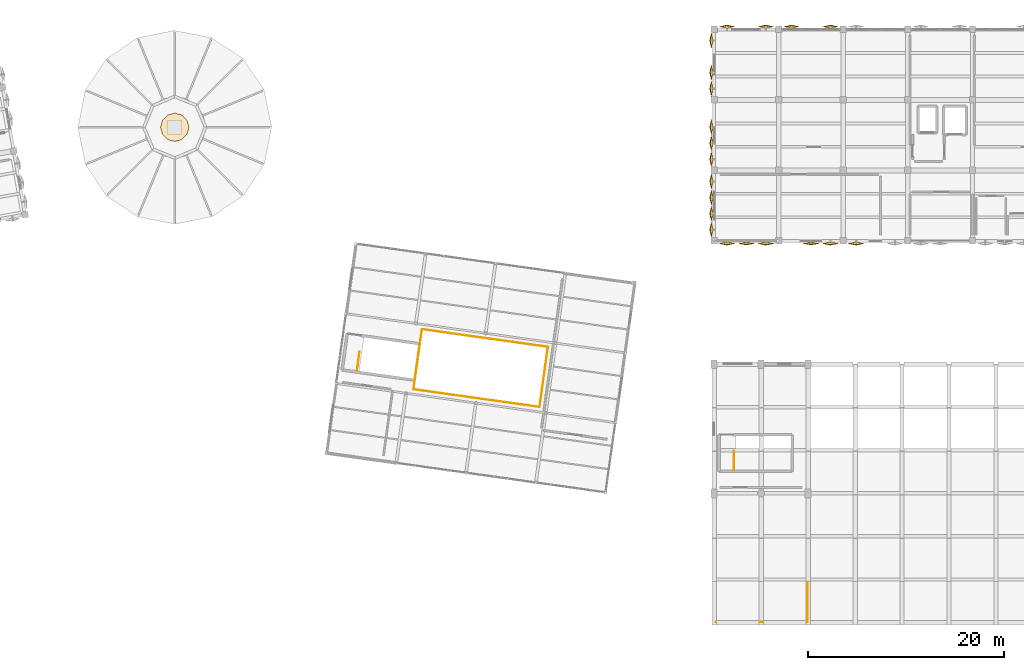
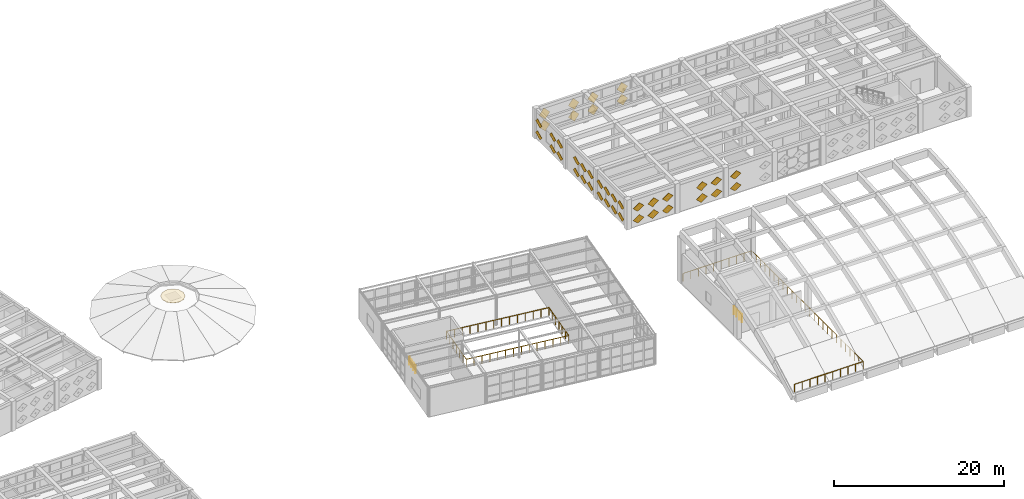
# One storey, part 66 of 67: 41 coverings, 5 railings.
"""IFC4 building model written with IfcOpenShell, lengths in metres."""

import ifcopenshell
import ifcopenshell.guid

model = None  # the IFC model being written
_history = None  # IfcOwnerHistory: only IFC2X3 demands one
_inside = {}  # id of a spatial element -> (the spatial element, [elements in it])
_under = {}  # id of a project, library or spatial element -> (it, [spatial elements below it])
_declared = {}  # id of a project -> (the project, [libraries it declares])
_typed = {}  # id of a type object -> (the type object, [elements of that type])
_made_of = {}  # id of a material, layer set ... -> (it, [elements and type objects made of it])


def new_model(schema):
    """Start an empty IFC model of exactly this schema.

    Asked for "IFC4X3", IfcOpenShell would pick the latest addendum, in which some entities
    have other attributes; the version numbers below select the first issue.
    IFC2X3 requires an IfcOwnerHistory on every rooted entity: one is made here for all.
    """
    global model, _history
    if schema == "IFC4X3":
        model = ifcopenshell.file(schema_version=(4, 3, 0, 0))
    else:
        model = ifcopenshell.file(schema=schema)
    _inside.clear()
    _under.clear()
    _declared.clear()
    _typed.clear()
    _made_of.clear()
    _history = None
    if model.schema == "IFC2X3":
        org = make("IfcOrganization", Name="unknown")
        user = make(
            "IfcPersonAndOrganization",
            ThePerson=make("IfcPerson", FamilyName="unknown"),
            TheOrganization=org,
        )
        app = make(
            "IfcApplication",
            ApplicationDeveloper=org,
            Version="unknown",
            ApplicationFullName="unknown",
            ApplicationIdentifier="unknown",
        )
        _history = make(
            "IfcOwnerHistory",
            OwningUser=user,
            OwningApplication=app,
            ChangeAction="ADDED",
            CreationDate=0,
        )
    return model


def make(cls, **values):
    """One entity of the class cls with the attributes given. An attribute that is None is left unset."""
    return model.create_entity(
        cls, **{name: value for name, value in values.items() if value is not None}
    )


def rooted(cls, **values):
    """An entity with a GlobalId (a new one), such as an element, a storey or a relation."""
    return make(cls, GlobalId=ifcopenshell.guid.new(), OwnerHistory=_history, **values)


def si_unit(unit_type, name, prefix=None):
    """IfcSIUnit, for example si_unit("LENGTHUNIT", "METRE", prefix="MILLI")."""
    return make("IfcSIUnit", UnitType=unit_type, Prefix=prefix, Name=name)


def assignment(units):
    """IfcUnitAssignment: the units of a project."""
    return None if units is None else make("IfcUnitAssignment", Units=units)


def point(xyz):
    """IfcCartesianPoint."""
    return None if xyz is None else make("IfcCartesianPoint", Coordinates=xyz)


def direction(xyz):
    """IfcDirection."""
    return None if xyz is None else make("IfcDirection", DirectionRatios=xyz)


def frame(location, z_axis=None, x_axis=None):
    """IfcAxis2Placement3D, a coordinate frame: its origin and axes. An axis left out is left unset."""
    return make(
        "IfcAxis2Placement3D",
        Location=point(location),
        Axis=direction(z_axis),
        RefDirection=direction(x_axis),
    )


def frame_2d(location, x_axis=None):
    """IfcAxis2Placement2D, a coordinate frame in the plane: its origin and x axis."""
    return make(
        "IfcAxis2Placement2D", Location=point(location), RefDirection=direction(x_axis)
    )


def origin():
    """The frame at (0, 0, 0) with its axes left unset."""
    return frame((0.0, 0.0, 0.0))


def origin_2d():
    """The frame at (0, 0) in the plane with its x axis left unset."""
    return frame_2d((0.0, 0.0))


def place(relative_to, where):
    """IfcLocalPlacement: puts the frame where relative to a parent placement (None: the world)."""
    return make(
        "IfcLocalPlacement", PlacementRelTo=relative_to, RelativePlacement=where
    )


def context(
    kind, dimensions, precision=None, world=None, true_north=None, identifier=None
):
    """IfcGeometricRepresentationContext, for example the 3D "Model" context."""
    return make(
        "IfcGeometricRepresentationContext",
        ContextIdentifier=identifier,
        ContextType=kind,
        CoordinateSpaceDimension=dimensions,
        Precision=precision,
        WorldCoordinateSystem=world,
        TrueNorth=true_north,
    )


def subcontext(parent, identifier, kind, view, scale=None):
    """IfcGeometricRepresentationSubContext, for example "Body" below "Model"."""
    return make(
        "IfcGeometricRepresentationSubContext",
        ContextIdentifier=identifier,
        ContextType=kind,
        ParentContext=parent,
        TargetScale=scale,
        TargetView=view,
    )


def project(units=None, contexts=None):
    """IfcProject with its units and contexts."""
    return rooted(
        "IfcProject",
        Name="project",
        RepresentationContexts=contexts,
        UnitsInContext=assignment(units),
    )


def spatial(cls, under=None, at=None, **own):
    """A site, building, storey or space (cls), placed at a placement, below another one or the project."""
    s = rooted(cls, ObjectPlacement=at, **own)
    if under is not None:
        _under.setdefault(under.id(), (under, []))[1].append(s)
    return s


def polyline(points):
    """IfcPolyline through the points."""
    return make("IfcPolyline", Points=[point(p) for p in points])


def profile(cls, at=None, kind="AREA", **sizes):
    """A parametric profile (cls). Its sizes go by their IFC names, for example OverallWidth=200.0."""
    return make(cls, ProfileType=kind, Position=at, **sizes)


def circle(**sizes):
    """IfcCircleProfileDef."""
    return profile("IfcCircleProfileDef", **sizes)


def outline(outer, holes=None, kind="AREA"):
    """IfcArbitraryClosedProfileDef: a profile drawn as a closed curve; with holes, ...WithVoids."""
    if holes is None:
        return make("IfcArbitraryClosedProfileDef", ProfileType=kind, OuterCurve=outer)
    return make(
        "IfcArbitraryProfileDefWithVoids",
        ProfileType=kind,
        OuterCurve=outer,
        InnerCurves=holes,
    )


def extrude(swept, where, along, depth):
    """IfcExtrudedAreaSolid: the profile swept, set in the frame where, extruded along a direction by depth."""
    return make(
        "IfcExtrudedAreaSolid",
        SweptArea=swept,
        Position=where,
        ExtrudedDirection=direction(along),
        Depth=depth,
    )


def shape(context_of_items, identifier, shape_type, items):
    """IfcShapeRepresentation: the items that make up one representation, for example the "Body"."""
    return make(
        "IfcShapeRepresentation",
        ContextOfItems=context_of_items,
        RepresentationIdentifier=identifier,
        RepresentationType=shape_type,
        Items=items,
    )


def material(Name=None, Category=None):
    """IfcMaterial."""
    return make("IfcMaterial", Name=Name, Category=Category)


def layer(
    of_material, thickness, ventilated=None, Name=None, Category=None, Priority=None
):
    """IfcMaterialLayer: one layer of a wall or slab, of a material (None: an air gap)."""
    return make(
        "IfcMaterialLayer",
        Material=of_material,
        LayerThickness=thickness,
        IsVentilated=ventilated,
        Name=Name,
        Category=Category,
        Priority=Priority,
    )


def layer_set(layers, Name=None):
    """IfcMaterialLayerSet."""
    return make("IfcMaterialLayerSet", MaterialLayers=layers, LayerSetName=Name)


def made_of(thing, what):
    """Note that an element or type object is made of a material, layer set ...; save() writes the relation."""
    if what is not None:
        _made_of.setdefault(what.id(), (what, []))[1].append(thing)
    return thing


def type_object(cls, material=None, **own):
    """A type object (cls), such as IfcWallType, which elements share."""
    return made_of(rooted(cls, **own), material)


def element(
    cls,
    number,
    at=None,
    inside=None,
    cuts=None,
    type_object=None,
    material=None,
    context=None,
    identifier="Body",
    shape_type=None,
    held_by="IfcProductDefinitionShape",
    body=None,
    shapes=None,
    **own,
):
    """One element of the class cls, such as IfcWall. Its Tag is "e" and its number.

    at: its placement. inside: the storey or other place that contains it. cuts: it is an
    opening in that element (IfcRelVoidsElement). A single representation is given by context,
    identifier, shape_type and body (its items); several are given by shapes. held_by: the class
    of the entity that holds the representations. save() writes the other relations.
    """
    e = rooted(cls, Tag="e%d" % number, ObjectPlacement=at, **own)
    if body is not None:
        shapes = [shape(context, identifier, shape_type, body)]
    if shapes is not None:
        e.Representation = make(held_by, Representations=shapes)
    if inside is not None:
        _inside.setdefault(inside.id(), (inside, []))[1].append(e)
    if cuts is not None:
        rooted(
            "IfcRelVoidsElement", RelatingBuildingElement=cuts, RelatedOpeningElement=e
        )
    if type_object is not None:
        _typed.setdefault(type_object.id(), (type_object, []))[1].append(e)
    return made_of(e, material)


def aggregate(whole, parts):
    """IfcRelAggregates: a whole, such as a stair, and the parts it consists of."""
    return rooted("IfcRelAggregates", RelatingObject=whole, RelatedObjects=parts)


def save(model, path):
    """Write the relations noted so far, then the file.

    IfcRelAggregates (storeys below a building ...), IfcRelContainedInSpatialStructure (elements
    in a storey), IfcRelDefinesByType, IfcRelAssociatesMaterial and IfcRelDeclares: one each for
    every whole, place, type object, material and project.
    """
    for whole, parts in _under.values():
        aggregate(whole, parts)
    for where, things in _inside.values():
        rooted(
            "IfcRelContainedInSpatialStructure",
            RelatedElements=things,
            RelatingStructure=where,
        )
    for kind, things in _typed.values():
        rooted("IfcRelDefinesByType", RelatedObjects=things, RelatingType=kind)
    for what, things in _made_of.values():
        rooted("IfcRelAssociatesMaterial", RelatedObjects=things, RelatingMaterial=what)
    for by, libraries in _declared.values():
        rooted("IfcRelDeclares", RelatingContext=by, RelatedDefinitions=libraries)
    model.write(path)


model = new_model("IFC4")

# Units and contexts
model_context = context("Model", 3, precision=1e-05, world=origin(), true_north=direction((0.0, 1.0)))
body_context = subcontext(model_context, "Body", "Model", "MODEL_VIEW")
ifc_project = project(units=[si_unit("LENGTHUNIT", "METRE"), si_unit("AREAUNIT", "SQUARE_METRE"), si_unit("VOLUMEUNIT", "CUBIC_METRE"), si_unit("PLANEANGLEUNIT", "RADIAN"), si_unit("MASSUNIT", "GRAM", prefix="KILO")], contexts=[model_context])

# Site, building, storey
site_placement = place(None, origin())
site = spatial("IfcSite", under=ifc_project, at=site_placement, CompositionType="ELEMENT")
building_placement = place(site_placement, origin())
building = spatial("IfcBuilding", under=site, at=building_placement, Name="Kharisveld Research Institute", CompositionType="ELEMENT")
storey_placement = place(building_placement, frame((0.0, 0.0, 9.60009765625)))
storey = spatial("IfcBuildingStorey", under=building, at=storey_placement, Name="L02", CompositionType="ELEMENT", Elevation=9.60009765625)

# Covering
ifc_material_1 = material(Name="High-Albedo TPO Roof Membrane", Category="mineral")
ifc_layer = layer(ifc_material_1, 0.034912109375)
ifc_layer_set = layer_set([ifc_layer], Name="CV_ROOF_EPDM")
covering_type_1 = type_object("IfcCoveringType", Name="CV_ROOF_EPDM", PredefinedType="ROOFING", material=ifc_layer_set)
covering_1_placement = place(storey_placement, frame((0.0, 0.0, 2.5)))
element("IfcCovering", 1, at=covering_1_placement, inside=storey, type_object=covering_type_1, Name="COV:V6:L02:MEM", PredefinedType="ROOFING", context=body_context, shape_type="SweptSolid", body=[
    extrude(outline(polyline([(60.949951171875, 50.800048828125), (60.755615234375, 51.52490234375), (60.22509765625, 52.0556640625), (59.5, 52.25), (58.77490234375, 52.0556640625), (58.244384765625, 51.52490234375), (58.050048828125, 50.800048828125), (58.244384765625, 50.074951171875), (58.77490234375, 49.544189453125), (59.5, 49.35009765625), (60.22509765625, 49.544189453125), (60.755615234375, 50.074951171875), (60.949951171875, 50.800048828125)])), origin(), (0.0, 0.0, 1.0), 0.034912109375),
])

# Railings
ifc_material_2 = material(Name="Laminated Glass and Stainless Steel", Category="steel")
railing_type_1 = type_object("IfcRailingType", Name="RL_BAL_ATR", PredefinedType="BALUSTRADE", material=ifc_material_2)
railing_1_placement = place(storey_placement, frame((83.894775390625, 24.025634765625, 0.0)))
element("IfcRailing", 2, at=railing_1_placement, inside=storey, type_object=railing_type_1, Name="RLG:V4:L02:ATRIUM_A", PredefinedType="BALUSTRADE", context=body_context, shape_type="SweptSolid", body=[
    extrude(circle(Radius=0.02392578125, at=origin_2d()), frame((0.0, 0.0, 1.1259765625), z_axis=(0.990267339401, -0.139178290391, 0.0), x_axis=(0.139178290391, 0.990267339401, 0.0)), (0.0, 0.0, 1.0), 13.0),
    extrude(circle(Radius=0.02392578125, at=origin_2d()), frame((12.87353515625, -1.809326171875, 1.1259765625), z_axis=(0.139160708979, 0.990269810242, 0.0), x_axis=(-0.990269810242, 0.139160708979, 0.0)), (0.0, 0.0, 1.0), 6.199951171875),
    extrude(circle(Radius=0.02099609375, at=origin_2d()), origin(), (0.0, 0.0, 1.0), 1.101806640625),
    extrude(circle(Radius=0.02099609375, at=origin_2d()), frame((0.990234375, -0.13916015625, 0.0)), (0.0, 0.0, 1.0), 1.101806640625),
    extrude(circle(Radius=0.02099609375, at=origin_2d()), frame((1.98046875, -0.2783203125, 0.0)), (0.0, 0.0, 1.0), 1.101806640625),
    extrude(circle(Radius=0.02099609375, at=origin_2d()), frame((2.970703125, -0.41748046875, 0.0)), (0.0, 0.0, 1.0), 1.101806640625),
    extrude(circle(Radius=0.02099609375, at=origin_2d()), frame((3.961181640625, -0.556640625, 0.0)), (0.0, 0.0, 1.0), 1.101806640625),
    extrude(circle(Radius=0.02099609375, at=origin_2d()), frame((4.951416015625, -0.69580078125, 0.0)), (0.0, 0.0, 1.0), 1.101806640625),
    extrude(circle(Radius=0.02099609375, at=origin_2d()), frame((5.941650390625, -0.8349609375, 0.0)), (0.0, 0.0, 1.0), 1.101806640625),
    extrude(circle(Radius=0.02099609375, at=origin_2d()), frame((6.931884765625, -0.974365234375, 0.0)), (0.0, 0.0, 1.0), 1.101806640625),
    extrude(circle(Radius=0.02099609375, at=origin_2d()), frame((7.922119140625, -1.113525390625, 0.0)), (0.0, 0.0, 1.0), 1.101806640625),
    extrude(circle(Radius=0.02099609375, at=origin_2d()), frame((8.912353515625, -1.252685546875, 0.0)), (0.0, 0.0, 1.0), 1.101806640625),
    extrude(circle(Radius=0.02099609375, at=origin_2d()), frame((9.90283203125, -1.391845703125, 0.0)), (0.0, 0.0, 1.0), 1.101806640625),
    extrude(circle(Radius=0.02099609375, at=origin_2d()), frame((10.89306640625, -1.531005859375, 0.0)), (0.0, 0.0, 1.0), 1.101806640625),
    extrude(circle(Radius=0.02099609375, at=origin_2d()), frame((11.88330078125, -1.670166015625, 0.0)), (0.0, 0.0, 1.0), 1.101806640625),
    extrude(circle(Radius=0.02099609375, at=origin_2d()), frame((12.87353515625, -1.809326171875, 0.0)), (0.0, 0.0, 1.0), 1.101806640625),
    extrude(circle(Radius=0.02099609375, at=origin_2d()), frame((13.017333984375, -0.7861328125, 0.0)), (0.0, 0.0, 1.0), 1.101806640625),
    extrude(circle(Radius=0.02099609375, at=origin_2d()), frame((13.1611328125, 0.2373046875, 0.0)), (0.0, 0.0, 1.0), 1.101806640625),
    extrude(circle(Radius=0.02099609375, at=origin_2d()), frame((13.304931640625, 1.260498046875, 0.0)), (0.0, 0.0, 1.0), 1.101806640625),
    extrude(circle(Radius=0.02099609375, at=origin_2d()), frame((13.44873046875, 2.28369140625, 0.0)), (0.0, 0.0, 1.0), 1.101806640625),
    extrude(circle(Radius=0.02099609375, at=origin_2d()), frame((13.592529296875, 3.30712890625, 0.0)), (0.0, 0.0, 1.0), 1.101806640625),
    extrude(circle(Radius=0.02099609375, at=origin_2d()), frame((13.736328125, 4.330322265625, 0.0)), (0.0, 0.0, 1.0), 1.101806640625),
])
railing_2_placement = place(storey_placement, frame((97.631103515625, 28.35595703125, 0.0)))
element("IfcRailing", 3, at=railing_2_placement, inside=storey, type_object=railing_type_1, Name="RLG:V4:L02:ATRIUM_B", PredefinedType="BALUSTRADE", context=body_context, shape_type="SweptSolid", body=[
    extrude(circle(Radius=0.02392578125, at=origin_2d()), frame((0.0, 0.0, 1.1259765625), z_axis=(-0.990267339401, 0.139178290391, 0.0), x_axis=(-0.139178290391, -0.990267339401, 0.0)), (0.0, 0.0, 1.0), 13.0),
    extrude(circle(Radius=0.02392578125, at=origin_2d()), frame((-12.87353515625, 1.809326171875, 1.1259765625), z_axis=(-0.139160708979, -0.990269810242, 0.0), x_axis=(0.990269810242, -0.139160708979, 0.0)), (0.0, 0.0, 1.0), 6.199951171875),
    extrude(circle(Radius=0.02099609375, at=origin_2d()), origin(), (0.0, 0.0, 1.0), 1.101806640625),
    extrude(circle(Radius=0.02099609375, at=origin_2d()), frame((-0.990234375, 0.13916015625, 0.0)), (0.0, 0.0, 1.0), 1.101806640625),
    extrude(circle(Radius=0.02099609375, at=origin_2d()), frame((-1.98046875, 0.2783203125, 0.0)), (0.0, 0.0, 1.0), 1.101806640625),
    extrude(circle(Radius=0.02099609375, at=origin_2d()), frame((-2.970703125, 0.41748046875, 0.0)), (0.0, 0.0, 1.0), 1.101806640625),
    extrude(circle(Radius=0.02099609375, at=origin_2d()), frame((-3.961181640625, 0.556640625, 0.0)), (0.0, 0.0, 1.0), 1.101806640625),
    extrude(circle(Radius=0.02099609375, at=origin_2d()), frame((-4.951416015625, 0.69580078125, 0.0)), (0.0, 0.0, 1.0), 1.101806640625),
    extrude(circle(Radius=0.02099609375, at=origin_2d()), frame((-5.941650390625, 0.8349609375, 0.0)), (0.0, 0.0, 1.0), 1.101806640625),
    extrude(circle(Radius=0.02099609375, at=origin_2d()), frame((-6.931884765625, 0.974365234375, 0.0)), (0.0, 0.0, 1.0), 1.101806640625),
    extrude(circle(Radius=0.02099609375, at=origin_2d()), frame((-7.922119140625, 1.113525390625, 0.0)), (0.0, 0.0, 1.0), 1.101806640625),
    extrude(circle(Radius=0.02099609375, at=origin_2d()), frame((-8.912353515625, 1.252685546875, 0.0)), (0.0, 0.0, 1.0), 1.101806640625),
    extrude(circle(Radius=0.02099609375, at=origin_2d()), frame((-9.90283203125, 1.391845703125, 0.0)), (0.0, 0.0, 1.0), 1.101806640625),
    extrude(circle(Radius=0.02099609375, at=origin_2d()), frame((-10.89306640625, 1.531005859375, 0.0)), (0.0, 0.0, 1.0), 1.101806640625),
    extrude(circle(Radius=0.02099609375, at=origin_2d()), frame((-11.88330078125, 1.670166015625, 0.0)), (0.0, 0.0, 1.0), 1.101806640625),
    extrude(circle(Radius=0.02099609375, at=origin_2d()), frame((-12.87353515625, 1.809326171875, 0.0)), (0.0, 0.0, 1.0), 1.101806640625),
    extrude(circle(Radius=0.02099609375, at=origin_2d()), frame((-13.017333984375, 0.7861328125, 0.0)), (0.0, 0.0, 1.0), 1.101806640625),
    extrude(circle(Radius=0.02099609375, at=origin_2d()), frame((-13.1611328125, -0.2373046875, 0.0)), (0.0, 0.0, 1.0), 1.101806640625),
    extrude(circle(Radius=0.02099609375, at=origin_2d()), frame((-13.304931640625, -1.260498046875, 0.0)), (0.0, 0.0, 1.0), 1.101806640625),
    extrude(circle(Radius=0.02099609375, at=origin_2d()), frame((-13.44873046875, -2.28369140625, 0.0)), (0.0, 0.0, 1.0), 1.101806640625),
    extrude(circle(Radius=0.02099609375, at=origin_2d()), frame((-13.592529296875, -3.30712890625, 0.0)), (0.0, 0.0, 1.0), 1.101806640625),
    extrude(circle(Radius=0.02099609375, at=origin_2d()), frame((-13.736328125, -4.330322265625, 0.0)), (0.0, 0.0, 1.0), 1.101806640625),
])
ifc_material_3 = material(Name="Steel S355JR", Category="steel")
railing_type_2 = type_object("IfcRailingType", Name="RL_GRD_STR", PredefinedType="GUARDRAIL", material=ifc_material_3)
railing_3_placement = place(storey_placement, frame((78.11328125, 25.9287109375, 0.0)))
element("IfcRailing", 4, at=railing_3_placement, inside=storey, type_object=railing_type_2, Name="RLG:STR:ST5:L02:TOPVOID", PredefinedType="GUARDRAIL", context=body_context, shape_type="SweptSolid", body=[
    extrude(circle(Radius=0.02392578125, at=origin_2d()), frame((0.0, 0.0, 1.09619140625), z_axis=(0.139183488293, 0.990266608842, 0.0), x_axis=(-0.990266608842, 0.139183488293, 0.0)), (0.0, 0.0, 1.0), 1.93994140625),
    extrude(circle(Radius=0.02099609375, at=origin_2d()), origin(), (0.0, 0.0, 1.0), 1.072021484375),
    extrude(circle(Radius=0.02099609375, at=origin_2d()), frame((0.090087890625, 0.640380859375, 0.0)), (0.0, 0.0, 1.0), 1.072021484375),
    extrude(circle(Radius=0.02099609375, at=origin_2d()), frame((0.179931640625, 1.28076171875, 0.0)), (0.0, 0.0, 1.0), 1.072021484375),
    extrude(circle(Radius=0.02099609375, at=origin_2d()), frame((0.27001953125, 1.921142578125, 0.0)), (0.0, 0.0, 1.0), 1.072021484375),
])
railing_4_placement = place(storey_placement, frame((116.610107421875, 15.780029296875, 0.0)))
element("IfcRailing", 5, at=railing_4_placement, inside=storey, type_object=railing_type_2, Name="RLG:STR:ST6:L02:TOPVOID", PredefinedType="GUARDRAIL", context=body_context, shape_type="SweptSolid", body=[
    extrude(circle(Radius=0.02392578125, at=origin_2d()), frame((0.0, 0.0, 1.09619140625), z_axis=(0.0, 1.0, 0.0), x_axis=(-1.0, 0.0, 0.0)), (0.0, 0.0, 1.0), 1.93994140625),
    extrude(circle(Radius=0.02099609375, at=origin_2d()), origin(), (0.0, 0.0, 1.0), 1.072021484375),
    extrude(circle(Radius=0.02099609375, at=origin_2d()), frame((0.0, 0.646728515625, 0.0)), (0.0, 0.0, 1.0), 1.072021484375),
    extrude(circle(Radius=0.02099609375, at=origin_2d()), frame((0.0, 1.293212890625, 0.0)), (0.0, 0.0, 1.0), 1.072021484375),
    extrude(circle(Radius=0.02099609375, at=origin_2d()), frame((0.0, 1.93994140625, 0.0)), (0.0, 0.0, 1.0), 1.072021484375),
])
ifc_material_4 = material(Name="Steel S355JR", Category="steel")
railing_type_3 = type_object("IfcRailingType", Name="RL_GRD_TER", PredefinedType="GUARDRAIL", material=ifc_material_4)
railing_5_placement = place(storey_placement, frame((114.800048828125, 0.280029296875, 0.0)))
element("IfcRailing", 6, at=railing_5_placement, inside=storey, type_object=railing_type_3, Name="RLG:V5:L02:BALC", PredefinedType="GUARDRAIL", context=body_context, shape_type="SweptSolid", body=[
    extrude(circle(Radius=0.02392578125, at=origin_2d()), frame((0.0, 0.0, 1.1259765625), z_axis=(1.0, 0.0, 0.0), x_axis=(0.0, 1.0, 0.0)), (0.0, 0.0, 1.0), 9.320068359375),
    extrude(circle(Radius=0.02392578125, at=origin_2d()), frame((9.320068359375, 0.0, 1.1259765625), z_axis=(0.0, 1.0, 0.0), x_axis=(-1.0, 0.0, 0.0)), (0.0, 0.0, 1.0), 26.239990234375),
    extrude(circle(Radius=0.02392578125, at=origin_2d()), frame((9.320068359375, 26.239990234375, 1.1259765625), z_axis=(-1.0, 0.0, 0.0), x_axis=(0.0, -1.0, 0.0)), (0.0, 0.0, 1.0), 9.320068359375),
    extrude(circle(Radius=0.02099609375, at=origin_2d()), origin(), (0.0, 0.0, 1.0), 1.101806640625),
    extrude(circle(Radius=0.02099609375, at=origin_2d()), frame((1.03564453125, 0.0, 0.0)), (0.0, 0.0, 1.0), 1.101806640625),
    extrude(circle(Radius=0.02099609375, at=origin_2d()), frame((2.071044921875, 0.0, 0.0)), (0.0, 0.0, 1.0), 1.101806640625),
    extrude(circle(Radius=0.02099609375, at=origin_2d()), frame((3.106689453125, 0.0, 0.0)), (0.0, 0.0, 1.0), 1.101806640625),
    extrude(circle(Radius=0.02099609375, at=origin_2d()), frame((4.142333984375, 0.0, 0.0)), (0.0, 0.0, 1.0), 1.101806640625),
    extrude(circle(Radius=0.02099609375, at=origin_2d()), frame((5.177734375, 0.0, 0.0)), (0.0, 0.0, 1.0), 1.101806640625),
    extrude(circle(Radius=0.02099609375, at=origin_2d()), frame((6.21337890625, 0.0, 0.0)), (0.0, 0.0, 1.0), 1.101806640625),
    extrude(circle(Radius=0.02099609375, at=origin_2d()), frame((7.2490234375, 0.0, 0.0)), (0.0, 0.0, 1.0), 1.101806640625),
    extrude(circle(Radius=0.02099609375, at=origin_2d()), frame((8.284423828125, 0.0, 0.0)), (0.0, 0.0, 1.0), 1.101806640625),
    extrude(circle(Radius=0.02099609375, at=origin_2d()), frame((9.320068359375, 0.0, 0.0)), (0.0, 0.0, 1.0), 1.101806640625),
    extrude(circle(Radius=0.02099609375, at=origin_2d()), frame((9.320068359375, 1.049560546875, 0.0)), (0.0, 0.0, 1.0), 1.101806640625),
    extrude(circle(Radius=0.02099609375, at=origin_2d()), frame((9.320068359375, 2.09912109375, 0.0)), (0.0, 0.0, 1.0), 1.101806640625),
    extrude(circle(Radius=0.02099609375, at=origin_2d()), frame((9.320068359375, 3.148681640625, 0.0)), (0.0, 0.0, 1.0), 1.101806640625),
    extrude(circle(Radius=0.02099609375, at=origin_2d()), frame((9.320068359375, 4.198486328125, 0.0)), (0.0, 0.0, 1.0), 1.101806640625),
    extrude(circle(Radius=0.02099609375, at=origin_2d()), frame((9.320068359375, 5.248046875, 0.0)), (0.0, 0.0, 1.0), 1.101806640625),
    extrude(circle(Radius=0.02099609375, at=origin_2d()), frame((9.320068359375, 6.297607421875, 0.0)), (0.0, 0.0, 1.0), 1.101806640625),
    extrude(circle(Radius=0.02099609375, at=origin_2d()), frame((9.320068359375, 7.34716796875, 0.0)), (0.0, 0.0, 1.0), 1.101806640625),
    extrude(circle(Radius=0.02099609375, at=origin_2d()), frame((9.320068359375, 8.396728515625, 0.0)), (0.0, 0.0, 1.0), 1.101806640625),
    extrude(circle(Radius=0.02099609375, at=origin_2d()), frame((9.320068359375, 9.4462890625, 0.0)), (0.0, 0.0, 1.0), 1.101806640625),
    extrude(circle(Radius=0.02099609375, at=origin_2d()), frame((9.320068359375, 10.49609375, 0.0)), (0.0, 0.0, 1.0), 1.101806640625),
    extrude(circle(Radius=0.02099609375, at=origin_2d()), frame((9.320068359375, 11.545654296875, 0.0)), (0.0, 0.0, 1.0), 1.101806640625),
    extrude(circle(Radius=0.02099609375, at=origin_2d()), frame((9.320068359375, 12.59521484375, 0.0)), (0.0, 0.0, 1.0), 1.101806640625),
    extrude(circle(Radius=0.02099609375, at=origin_2d()), frame((9.320068359375, 13.644775390625, 0.0)), (0.0, 0.0, 1.0), 1.101806640625),
    extrude(circle(Radius=0.02099609375, at=origin_2d()), frame((9.320068359375, 14.6943359375, 0.0)), (0.0, 0.0, 1.0), 1.101806640625),
    extrude(circle(Radius=0.02099609375, at=origin_2d()), frame((9.320068359375, 15.743896484375, 0.0)), (0.0, 0.0, 1.0), 1.101806640625),
    extrude(circle(Radius=0.02099609375, at=origin_2d()), frame((9.320068359375, 16.793701171875, 0.0)), (0.0, 0.0, 1.0), 1.101806640625),
    extrude(circle(Radius=0.02099609375, at=origin_2d()), frame((9.320068359375, 17.84326171875, 0.0)), (0.0, 0.0, 1.0), 1.101806640625),
    extrude(circle(Radius=0.02099609375, at=origin_2d()), frame((9.320068359375, 18.892822265625, 0.0)), (0.0, 0.0, 1.0), 1.101806640625),
    extrude(circle(Radius=0.02099609375, at=origin_2d()), frame((9.320068359375, 19.9423828125, 0.0)), (0.0, 0.0, 1.0), 1.101806640625),
    extrude(circle(Radius=0.02099609375, at=origin_2d()), frame((9.320068359375, 20.991943359375, 0.0)), (0.0, 0.0, 1.0), 1.101806640625),
    extrude(circle(Radius=0.02099609375, at=origin_2d()), frame((9.320068359375, 22.04150390625, 0.0)), (0.0, 0.0, 1.0), 1.101806640625),
    extrude(circle(Radius=0.02099609375, at=origin_2d()), frame((9.320068359375, 23.09130859375, 0.0)), (0.0, 0.0, 1.0), 1.101806640625),
    extrude(circle(Radius=0.02099609375, at=origin_2d()), frame((9.320068359375, 24.140869140625, 0.0)), (0.0, 0.0, 1.0), 1.101806640625),
    extrude(circle(Radius=0.02099609375, at=origin_2d()), frame((9.320068359375, 25.1904296875, 0.0)), (0.0, 0.0, 1.0), 1.101806640625),
    extrude(circle(Radius=0.02099609375, at=origin_2d()), frame((9.320068359375, 26.239990234375, 0.0)), (0.0, 0.0, 1.0), 1.101806640625),
    extrude(circle(Radius=0.02099609375, at=origin_2d()), frame((8.284423828125, 26.239990234375, 0.0)), (0.0, 0.0, 1.0), 1.101806640625),
    extrude(circle(Radius=0.02099609375, at=origin_2d()), frame((7.2490234375, 26.239990234375, 0.0)), (0.0, 0.0, 1.0), 1.101806640625),
    extrude(circle(Radius=0.02099609375, at=origin_2d()), frame((6.21337890625, 26.239990234375, 0.0)), (0.0, 0.0, 1.0), 1.101806640625),
    extrude(circle(Radius=0.02099609375, at=origin_2d()), frame((5.177734375, 26.239990234375, 0.0)), (0.0, 0.0, 1.0), 1.101806640625),
    extrude(circle(Radius=0.02099609375, at=origin_2d()), frame((4.142333984375, 26.239990234375, 0.0)), (0.0, 0.0, 1.0), 1.101806640625),
    extrude(circle(Radius=0.02099609375, at=origin_2d()), frame((3.106689453125, 26.239990234375, 0.0)), (0.0, 0.0, 1.0), 1.101806640625),
    extrude(circle(Radius=0.02099609375, at=origin_2d()), frame((2.071044921875, 26.239990234375, 0.0)), (0.0, 0.0, 1.0), 1.101806640625),
    extrude(circle(Radius=0.02099609375, at=origin_2d()), frame((1.03564453125, 26.239990234375, 0.0)), (0.0, 0.0, 1.0), 1.101806640625),
    extrude(circle(Radius=0.02099609375, at=origin_2d()), frame((0.0, 26.239990234375, 0.0)), (0.0, 0.0, 1.0), 1.101806640625),
])

# Coverings
ifc_material_5 = material(Name="White Powder-Coated Perforated Aluminium", Category="aluminium")
covering_type_2 = type_object("IfcCoveringType", Name="CV_DIA_105", PredefinedType="CLADDING")
for number, where, z_axis, x_axis, name in (
    (7, (114.500732421875, 40.340087890625, 0.324951171875), (0.97627595375, 0.0, 0.216530049021), (-0.153110874941, 0.707102121536, 0.690335896281), "SHD:V2:L02:W0:S0C0"),
    (8, (114.500732421875, 40.340087890625, 2.025146484375), (0.97627595375, 0.0, 0.216530049021), (-0.153110874941, 0.707102121536, 0.690335896281), "SHD:V2:L02:W0:S0C1"),
    (9, (114.500732421875, 41.97998046875, 0.324951171875), (0.97627595375, 0.0, 0.216530049021), (-0.153110874941, 0.707102121536, 0.690335896281), "SHD:V2:L02:W0:S1C0"),
    (10, (114.500732421875, 41.97998046875, 2.025146484375), (0.97627595375, 0.0, 0.216530049021), (-0.153110874941, 0.707102121536, 0.690335896281), "SHD:V2:L02:W0:S1C1"),
):
    element("IfcCovering", number, at=place(storey_placement, frame(where, z_axis=z_axis, x_axis=x_axis)), inside=storey, type_object=covering_type_2, material=ifc_material_5, Name=name, PredefinedType="CLADDING", context=body_context, shape_type="SweptSolid", body=[
        extrude(outline(polyline([(0.0, 0.0), (1.0499638142969818, -1.1102230246251565e-16), (1.0500150328164886, 1.0500011942978444), (1.3837934803917484e-05, 1.0499638142057939), (0.0, 0.0)])), origin(), (0.0, 0.0, -1.0), 0.02392578125),
    ])
for number, where, z_axis, x_axis, name in (
    (11, (114.500732421875, 43.6201171875, 0.324951171875), (0.97627595375, 0.0, 0.216530049021), (-0.153110874941, 0.707102121536, 0.690335896281), "SHD:V2:L02:W0:S2C0"),
    (12, (114.500732421875, 43.6201171875, 2.025146484375), (0.97627595375, 0.0, 0.216530049021), (-0.153110874941, 0.707102121536, 0.690335896281), "SHD:V2:L02:W0:S2C1"),
):
    element("IfcCovering", number, at=place(storey_placement, frame(where, z_axis=z_axis, x_axis=x_axis)), inside=storey, type_object=covering_type_2, material=ifc_material_5, Name=name, PredefinedType="CLADDING", context=body_context, shape_type="SweptSolid", body=[
        extrude(outline(polyline([(0.0, 0.0), (1.0499638142969818, 0.0), (1.0500150328164886, 1.0500011942978447), (-0.0001587944190866164, 1.050136448834897), (0.0, 0.0)])), origin(), (0.0, 0.0, -1.0), 0.02392578125),
    ])
for number, where, z_axis, x_axis, name in (
    (13, (114.500732421875, 45.260009765625, 0.324951171875), (0.97627595375, 0.0, 0.216530049021), (-0.153110874941, 0.707102121536, 0.690335896281), "SHD:V2:L02:W0:S3C0"),
    (14, (114.500732421875, 45.260009765625, 2.025146484375), (0.97627595375, 0.0, 0.216530049021), (-0.153110874941, 0.707102121536, 0.690335896281), "SHD:V2:L02:W0:S3C1"),
    (15, (114.500732421875, 47.5400390625, 0.324951171875), (0.97627595375, 0.0, 0.216530049021), (-0.153110874941, 0.707102121536, 0.690335896281), "SHD:V2:L02:W1:S0C0"),
    (16, (114.500732421875, 47.5400390625, 2.025146484375), (0.97627595375, 0.0, 0.216530049021), (-0.153110874941, 0.707102121536, 0.690335896281), "SHD:V2:L02:W1:S0C1"),
    (17, (114.500732421875, 49.179931640625, 0.324951171875), (0.97627595375, 0.0, 0.216530049021), (-0.153110874941, 0.707102121536, 0.690335896281), "SHD:V2:L02:W1:S1C0"),
    (18, (114.500732421875, 49.179931640625, 2.025146484375), (0.97627595375, 0.0, 0.216530049021), (-0.153110874941, 0.707102121536, 0.690335896281), "SHD:V2:L02:W1:S1C1"),
    (19, (114.500732421875, 50.820068359375, 0.324951171875), (0.97627595375, 0.0, 0.216530049021), (-0.153110874941, 0.707102121536, 0.690335896281), "SHD:V2:L02:W1:S2C0"),
    (20, (114.500732421875, 50.820068359375, 2.025146484375), (0.97627595375, 0.0, 0.216530049021), (-0.153110874941, 0.707102121536, 0.690335896281), "SHD:V2:L02:W1:S2C1"),
    (21, (114.500732421875, 54.739990234375, 0.324951171875), (0.97627595375, 0.0, 0.216530049021), (-0.153110874941, 0.707102121536, 0.690335896281), "SHD:V2:L02:W2:S0C0"),
    (22, (114.500732421875, 54.739990234375, 2.025146484375), (0.97627595375, 0.0, 0.216530049021), (-0.153110874941, 0.707102121536, 0.690335896281), "SHD:V2:L02:W2:S0C1"),
):
    element("IfcCovering", number, at=place(storey_placement, frame(where, z_axis=z_axis, x_axis=x_axis)), inside=storey, type_object=covering_type_2, material=ifc_material_5, Name=name, PredefinedType="CLADDING", context=body_context, shape_type="SweptSolid", body=[
        extrude(outline(polyline([(0.0, 0.0), (1.0499638142969818, -1.1102230246251565e-16), (1.0500150328164886, 1.0500011942978444), (1.3837934803917484e-05, 1.0499638142057939), (0.0, 0.0)])), origin(), (0.0, 0.0, -1.0), 0.02392578125),
    ])
for number, where, z_axis, x_axis, name in (
    (23, (114.500732421875, 56.3798828125, 0.324951171875), (0.97627595375, 0.0, 0.216530049021), (-0.153085702914, 0.707218355846, 0.690222402358), "SHD:V2:L02:W2:S1C0"),
    (24, (114.500732421875, 56.3798828125, 2.025146484375), (0.97627595375, 0.0, 0.216530049021), (-0.153085702914, 0.707218355846, 0.690222402358), "SHD:V2:L02:W2:S1C1"),
):
    element("IfcCovering", number, at=place(storey_placement, frame(where, z_axis=z_axis, x_axis=x_axis)), inside=storey, type_object=covering_type_2, material=ifc_material_5, Name=name, PredefinedType="CLADDING", context=body_context, shape_type="SweptSolid", body=[
        extrude(outline(polyline([(0.0, 0.0), (1.0501364608407977, 0.0), (1.0498424062359155, 1.0501737947769858), (-0.0001587683126624828, 1.0499638022930555), (0.0, 0.0)])), origin(), (0.0, 0.0, -1.0), 0.02392578125),
    ])
for number, where, z_axis, x_axis, name in (
    (25, (114.500732421875, 59.659912109375, 0.324951171875), (0.97627595375, 0.0, 0.216530049021), (-0.153110874941, 0.707102121536, 0.690335896281), "SHD:V2:L02:W2:S3C0"),
    (26, (114.500732421875, 59.659912109375, 2.025146484375), (0.97627595375, 0.0, 0.216530049021), (-0.153110874941, 0.707102121536, 0.690335896281), "SHD:V2:L02:W2:S3C1"),
):
    element("IfcCovering", number, at=place(storey_placement, frame(where, z_axis=z_axis, x_axis=x_axis)), inside=storey, type_object=covering_type_2, material=ifc_material_5, Name=name, PredefinedType="CLADDING", context=body_context, shape_type="SweptSolid", body=[
        extrude(outline(polyline([(0.0, 0.0), (1.0499638142969818, -1.1102230246251565e-16), (1.0500150328164886, 1.0500011942978444), (1.3837934803917484e-05, 1.0499638142057939), (0.0, 0.0)])), origin(), (0.0, 0.0, -1.0), 0.02392578125),
    ])
for number, where, z_axis, x_axis, name in (
    (27, (115.913330078125, 60.8994140625, 0.324951171875), (0.0, -0.97631069788, 0.216373337556), (0.707102116981, 0.153000063457, 0.6903604687), "SHD:V2:L02:N0:S0C0"),
    (28, (115.913330078125, 60.8994140625, 2.025146484375), (0.0, -0.97631069788, 0.216373337556), (0.707102116981, 0.153000063457, 0.6903604687), "SHD:V2:L02:N0:S0C1"),
    (29, (119.88671875, 60.8994140625, 0.324951171875), (0.0, -0.97631069788, 0.216373337556), (0.707102116981, 0.153000063457, 0.6903604687), "SHD:V2:L02:N0:S2C0"),
    (30, (119.88671875, 60.8994140625, 2.025146484375), (0.0, -0.97631069788, 0.216373337556), (0.707102116981, 0.153000063457, 0.6903604687), "SHD:V2:L02:N0:S2C1"),
):
    element("IfcCovering", number, at=place(storey_placement, frame(where, z_axis=z_axis, x_axis=x_axis)), inside=storey, type_object=covering_type_2, material=ifc_material_5, Name=name, PredefinedType="CLADDING", context=body_context, shape_type="SweptSolid", body=[
        extrude(outline(polyline([(0.0, 0.0), (1.0499638210603182, 0.0), (1.0499776725217052, 1.0499638209689517), (1.3851461386993336e-05, 1.0499638209689517), (0.0, 0.0)])), origin(), (0.0, 0.0, -1.0), 0.02392578125),
    ])
for number, where, z_axis, x_axis, name in (
    (31, (122.513427734375, 60.8994140625, 0.324951171875), (0.0, -0.97631069788, 0.216373337556), (0.707102116981, 0.153000063457, 0.6903604687), "SHD:V2:L02:N1:S0C0"),
    (32, (122.513427734375, 60.8994140625, 2.025146484375), (0.0, -0.97631069788, 0.216373337556), (0.707102116981, 0.153000063457, 0.6903604687), "SHD:V2:L02:N1:S0C1"),
):
    element("IfcCovering", number, at=place(storey_placement, frame(where, z_axis=z_axis, x_axis=x_axis)), inside=storey, type_object=covering_type_2, material=ifc_material_5, Name=name, PredefinedType="CLADDING", context=body_context, shape_type="SweptSolid", body=[
        extrude(outline(polyline([(0.0, 0.0), (1.0499638210603182, 0.0), (1.0499776725217052, 1.0499638209689517), (-0.00015878089139154117, 1.050136455599167), (0.0, 0.0)])), origin(), (0.0, 0.0, -1.0), 0.02392578125),
    ])
for number, where, z_axis, x_axis, name in (
    (33, (126.486572265625, 60.8994140625, 0.324951171875), (0.0, -0.97631069788, 0.216373337556), (0.707218351292, 0.152974909648, 0.690246970738), "SHD:V2:L02:N1:S2C0"),
    (34, (126.486572265625, 60.8994140625, 2.025146484375), (0.0, -0.97631069788, 0.216373337556), (0.707218351292, 0.152974909648, 0.690246970738), "SHD:V2:L02:N1:S2C1"),
):
    element("IfcCovering", number, at=place(storey_placement, frame(where, z_axis=z_axis, x_axis=x_axis)), inside=storey, type_object=covering_type_2, material=ifc_material_5, Name=name, PredefinedType="CLADDING", context=body_context, shape_type="SweptSolid", body=[
        extrude(outline(polyline([(0.0, 0.0), (1.0501364676030216, 1.1102230246251565e-16), (1.0498050520855338, 1.0501364153068435), (-0.00015875478719196146, 1.0499638090584367), (0.0, 0.0)])), origin(), (0.0, 0.0, -1.0), 0.02392578125),
    ])
for number, where, z_axis, x_axis, name in (
    (35, (129.11328125, 39.1005859375, 0.324951171875), (0.0, 0.97631069788, 0.216373337556), (-0.707102116981, -0.153000063457, 0.6903604687), "SHD:V2:L02:S3:S2C0"),
    (36, (129.11328125, 39.1005859375, 2.025146484375), (0.0, 0.97631069788, 0.216373337556), (-0.707102116981, -0.153000063457, 0.6903604687), "SHD:V2:L02:S3:S2C1"),
):
    element("IfcCovering", number, at=place(storey_placement, frame(where, z_axis=z_axis, x_axis=x_axis)), inside=storey, type_object=covering_type_2, material=ifc_material_5, Name=name, PredefinedType="CLADDING", context=body_context, shape_type="SweptSolid", body=[
        extrude(outline(polyline([(0.0, 0.0), (1.0499638210603182, 0.0), (1.0499776725217052, 1.0499638209689517), (1.3851461386993336e-05, 1.0499638209689517), (0.0, 0.0)])), origin(), (0.0, 0.0, -1.0), 0.02392578125),
    ])
for number, where, z_axis, x_axis, name in (
    (37, (126.486572265625, 39.1005859375, 0.324951171875), (0.0, 0.97631069788, 0.216373337556), (-0.707102116981, -0.153000063457, 0.6903604687), "SHD:V2:L02:S2:S0C0"),
    (38, (126.486572265625, 39.1005859375, 2.025146484375), (0.0, 0.97631069788, 0.216373337556), (-0.707102116981, -0.153000063457, 0.6903604687), "SHD:V2:L02:S2:S0C1"),
):
    element("IfcCovering", number, at=place(storey_placement, frame(where, z_axis=z_axis, x_axis=x_axis)), inside=storey, type_object=covering_type_2, material=ifc_material_5, Name=name, PredefinedType="CLADDING", context=body_context, shape_type="SweptSolid", body=[
        extrude(outline(polyline([(0.0, 0.0), (1.0499638210603182, 0.0), (1.0499776725217052, 1.0499638209689517), (-0.00015878089139154117, 1.050136455599167), (0.0, 0.0)])), origin(), (0.0, 0.0, -1.0), 0.02392578125),
    ])
covering_2_placement = place(storey_placement, frame((124.5, 39.0625, 0.317626953125), z_axis=(0.0, 0.986282612269, 0.165065468031), x_axis=(-0.707138821552, -0.116713622787, 0.697375521014)))
element("IfcCovering", 39, at=covering_2_placement, inside=storey, type_object=covering_type_2, material=ifc_material_5, Name="SHD:V2:L02:S2:S1C0", PredefinedType="CLADDING", context=body_context, shape_type="SweptSolid", body=[
    extrude(outline(polyline([(0.0, 0.0), (1.049909321899567, 0.0), (1.0499844306250534, 1.0500795907141018), (-9.51489700736774e-05, 1.049909317588087), (0.0, 0.0)])), origin(), (0.0, 0.0, -1.0), 0.02392578125),
])
covering_3_placement = place(storey_placement, frame((124.5, 39.0625, 2.017578125), z_axis=(0.0, 0.986282612269, 0.165065468031), x_axis=(-0.707024158255, -0.116732548384, 0.697488603341)))
element("IfcCovering", 40, at=covering_3_placement, inside=storey, type_object=covering_type_2, material=ifc_material_5, Name="SHD:V2:L02:S2:S1C1", PredefinedType="CLADDING", context=body_context, shape_type="SweptSolid", body=[
    extrude(outline(polyline([(0.0, 0.0), (1.0500795934002414, -1.1102230246251565e-16), (1.0501546899467695, 1.0499093192138629), (0.0002453818500782745, 1.0500795647299133), (0.0, 0.0)])), origin(), (0.0, 0.0, -1.0), 0.02392578125),
])
for number, where, z_axis, x_axis, name in (
    (41, (119.88671875, 39.1005859375, 0.324951171875), (0.0, 0.97631069788, 0.216373337556), (-0.707102116981, -0.153000063457, 0.6903604687), "SHD:V2:L02:S1:S0C0"),
    (42, (119.88671875, 39.1005859375, 2.025146484375), (0.0, 0.97631069788, 0.216373337556), (-0.707102116981, -0.153000063457, 0.6903604687), "SHD:V2:L02:S1:S0C1"),
):
    element("IfcCovering", number, at=place(storey_placement, frame(where, z_axis=z_axis, x_axis=x_axis)), inside=storey, type_object=covering_type_2, material=ifc_material_5, Name=name, PredefinedType="CLADDING", context=body_context, shape_type="SweptSolid", body=[
        extrude(outline(polyline([(0.0, 0.0), (1.0499638210603182, 0.0), (1.0499776725217052, 1.0499638209689517), (1.3851461386993336e-05, 1.0499638209689517), (0.0, 0.0)])), origin(), (0.0, 0.0, -1.0), 0.02392578125),
    ])
covering_4_placement = place(storey_placement, frame((117.89990234375, 39.0625, 0.317626953125), z_axis=(0.0, 0.986282612269, 0.165065468031), x_axis=(-0.707138821552, -0.116713622787, 0.697375521014)))
element("IfcCovering", 43, at=covering_4_placement, inside=storey, type_object=covering_type_2, material=ifc_material_5, Name="SHD:V2:L02:S1:S1C0", PredefinedType="CLADDING", context=body_context, shape_type="SweptSolid", body=[
    extrude(outline(polyline([(0.0, 0.0), (1.049909321899567, 0.0), (1.0499844306250534, 1.0500795907141018), (-0.0002677902839293145, 1.0500819432568782), (0.0, 0.0)])), origin(), (0.0, 0.0, -1.0), 0.02392578125),
])
covering_5_placement = place(storey_placement, frame((117.89990234375, 39.0625, 2.017578125), z_axis=(0.0, 0.986282612269, 0.165065468031), x_axis=(-0.707024158255, -0.116732548384, 0.697488603341)))
element("IfcCovering", 44, at=covering_5_placement, inside=storey, type_object=covering_type_2, material=ifc_material_5, Name="SHD:V2:L02:S1:S1C1", PredefinedType="CLADDING", context=body_context, shape_type="SweptSolid", body=[
    extrude(outline(polyline([(0.0, 0.0), (1.0500795934002414, -1.1102230246251565e-16), (1.0501546899467695, 1.0499093192138629), (7.276853019166918e-05, 1.050252218390671), (0.0, 0.0)])), origin(), (0.0, 0.0, -1.0), 0.02392578125),
])
for number, where, z_axis, x_axis, name in (
    (45, (115.913330078125, 39.1005859375, 0.324951171875), (0.0, 0.97631069788, 0.216373337556), (-0.707102116981, -0.153000063457, 0.6903604687), "SHD:V2:L02:S1:S2C0"),
    (46, (115.913330078125, 39.1005859375, 2.025146484375), (0.0, 0.97631069788, 0.216373337556), (-0.707102116981, -0.153000063457, 0.6903604687), "SHD:V2:L02:S1:S2C1"),
):
    element("IfcCovering", number, at=place(storey_placement, frame(where, z_axis=z_axis, x_axis=x_axis)), inside=storey, type_object=covering_type_2, material=ifc_material_5, Name=name, PredefinedType="CLADDING", context=body_context, shape_type="SweptSolid", body=[
        extrude(outline(polyline([(0.0, 0.0), (1.0499638210603182, 0.0), (1.0499776725217052, 1.0499638209689517), (1.3851461386993336e-05, 1.0499638209689517), (0.0, 0.0)])), origin(), (0.0, 0.0, -1.0), 0.02392578125),
    ])

save(model, "model.ifc")
